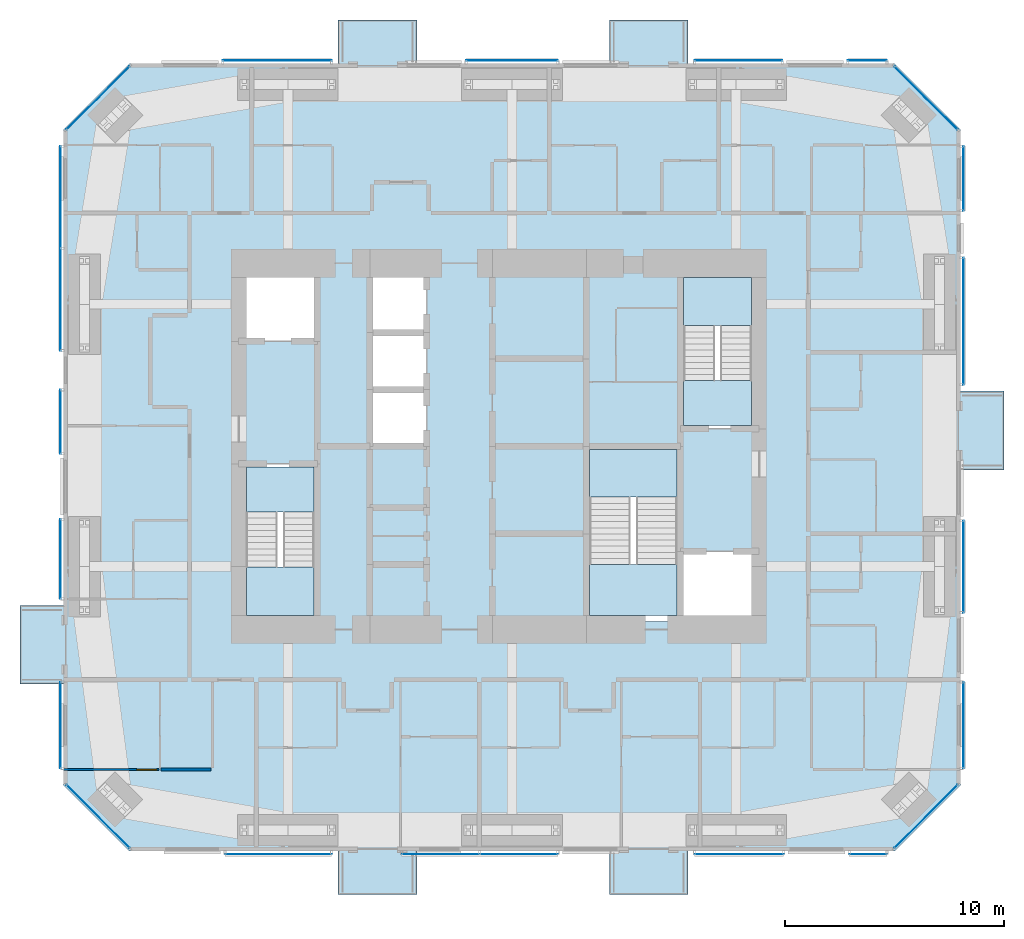
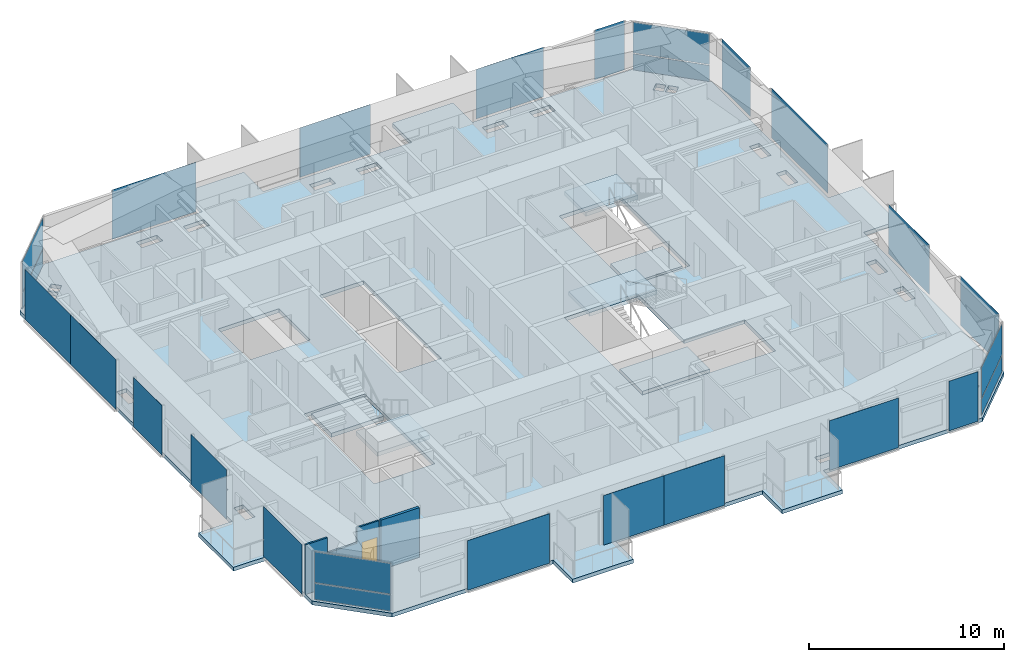
# One storey, part 14 of 22: 26 plates, 7 slabs, 2 walls, 1 door, 1 opening, 23 elements without a shape of their own.
"""IFC4 building model written with IfcOpenShell, lengths in metres."""

import ifcopenshell
import ifcopenshell.guid

model = None  # the IFC model being written
_history = None  # IfcOwnerHistory: only IFC2X3 demands one
_inside = {}  # id of a spatial element -> (the spatial element, [elements in it])
_under = {}  # id of a project, library or spatial element -> (it, [spatial elements below it])
_declared = {}  # id of a project -> (the project, [libraries it declares])
_typed = {}  # id of a type object -> (the type object, [elements of that type])
_made_of = {}  # id of a material, layer set ... -> (it, [elements and type objects made of it])


def new_model(schema):
    """Start an empty IFC model of exactly this schema.

    Asked for "IFC4X3", IfcOpenShell would pick the latest addendum, in which some entities
    have other attributes; the version numbers below select the first issue.
    IFC2X3 requires an IfcOwnerHistory on every rooted entity: one is made here for all.
    """
    global model, _history
    if schema == "IFC4X3":
        model = ifcopenshell.file(schema_version=(4, 3, 0, 0))
    else:
        model = ifcopenshell.file(schema=schema)
    _inside.clear()
    _under.clear()
    _declared.clear()
    _typed.clear()
    _made_of.clear()
    _history = None
    if model.schema == "IFC2X3":
        org = make("IfcOrganization", Name="unknown")
        user = make(
            "IfcPersonAndOrganization",
            ThePerson=make("IfcPerson", FamilyName="unknown"),
            TheOrganization=org,
        )
        app = make(
            "IfcApplication",
            ApplicationDeveloper=org,
            Version="unknown",
            ApplicationFullName="unknown",
            ApplicationIdentifier="unknown",
        )
        _history = make(
            "IfcOwnerHistory",
            OwningUser=user,
            OwningApplication=app,
            ChangeAction="ADDED",
            CreationDate=0,
        )
    return model


def make(cls, **values):
    """One entity of the class cls with the attributes given. An attribute that is None is left unset."""
    return model.create_entity(
        cls, **{name: value for name, value in values.items() if value is not None}
    )


def rooted(cls, **values):
    """An entity with a GlobalId (a new one), such as an element, a storey or a relation."""
    return make(cls, GlobalId=ifcopenshell.guid.new(), OwnerHistory=_history, **values)


def si_unit(unit_type, name, prefix=None):
    """IfcSIUnit, for example si_unit("LENGTHUNIT", "METRE", prefix="MILLI")."""
    return make("IfcSIUnit", UnitType=unit_type, Prefix=prefix, Name=name)


def assignment(units):
    """IfcUnitAssignment: the units of a project."""
    return None if units is None else make("IfcUnitAssignment", Units=units)


def point(xyz):
    """IfcCartesianPoint."""
    return None if xyz is None else make("IfcCartesianPoint", Coordinates=xyz)


def direction(xyz):
    """IfcDirection."""
    return None if xyz is None else make("IfcDirection", DirectionRatios=xyz)


def frame(location, z_axis=None, x_axis=None):
    """IfcAxis2Placement3D, a coordinate frame: its origin and axes. An axis left out is left unset."""
    return make(
        "IfcAxis2Placement3D",
        Location=point(location),
        Axis=direction(z_axis),
        RefDirection=direction(x_axis),
    )


def frame_2d(location, x_axis=None):
    """IfcAxis2Placement2D, a coordinate frame in the plane: its origin and x axis."""
    return make(
        "IfcAxis2Placement2D", Location=point(location), RefDirection=direction(x_axis)
    )


def origin():
    """The frame at (0, 0, 0) with its axes left unset."""
    return frame((0.0, 0.0, 0.0))


def origin_2d():
    """The frame at (0, 0) in the plane with its x axis left unset."""
    return frame_2d((0.0, 0.0))


def place(relative_to, where):
    """IfcLocalPlacement: puts the frame where relative to a parent placement (None: the world)."""
    return make(
        "IfcLocalPlacement", PlacementRelTo=relative_to, RelativePlacement=where
    )


def context(
    kind, dimensions, precision=None, world=None, true_north=None, identifier=None
):
    """IfcGeometricRepresentationContext, for example the 3D "Model" context."""
    return make(
        "IfcGeometricRepresentationContext",
        ContextIdentifier=identifier,
        ContextType=kind,
        CoordinateSpaceDimension=dimensions,
        Precision=precision,
        WorldCoordinateSystem=world,
        TrueNorth=true_north,
    )


def subcontext(parent, identifier, kind, view, scale=None):
    """IfcGeometricRepresentationSubContext, for example "Body" below "Model"."""
    return make(
        "IfcGeometricRepresentationSubContext",
        ContextIdentifier=identifier,
        ContextType=kind,
        ParentContext=parent,
        TargetScale=scale,
        TargetView=view,
    )


def project(units=None, contexts=None):
    """IfcProject with its units and contexts."""
    return rooted(
        "IfcProject",
        Name="project",
        RepresentationContexts=contexts,
        UnitsInContext=assignment(units),
    )


def spatial(cls, under=None, at=None, **own):
    """A site, building, storey or space (cls), placed at a placement, below another one or the project."""
    s = rooted(cls, ObjectPlacement=at, **own)
    if under is not None:
        _under.setdefault(under.id(), (under, []))[1].append(s)
    return s


def polyline(points):
    """IfcPolyline through the points."""
    return make("IfcPolyline", Points=[point(p) for p in points])


def profile(cls, at=None, kind="AREA", **sizes):
    """A parametric profile (cls). Its sizes go by their IFC names, for example OverallWidth=200.0."""
    return make(cls, ProfileType=kind, Position=at, **sizes)


def rectangle(**sizes):
    """IfcRectangleProfileDef."""
    return profile("IfcRectangleProfileDef", **sizes)


def outline(outer, holes=None, kind="AREA"):
    """IfcArbitraryClosedProfileDef: a profile drawn as a closed curve; with holes, ...WithVoids."""
    if holes is None:
        return make("IfcArbitraryClosedProfileDef", ProfileType=kind, OuterCurve=outer)
    return make(
        "IfcArbitraryProfileDefWithVoids",
        ProfileType=kind,
        OuterCurve=outer,
        InnerCurves=holes,
    )


def extrude(swept, where, along, depth):
    """IfcExtrudedAreaSolid: the profile swept, set in the frame where, extruded along a direction by depth."""
    return make(
        "IfcExtrudedAreaSolid",
        SweptArea=swept,
        Position=where,
        ExtrudedDirection=direction(along),
        Depth=depth,
    )


def shape(context_of_items, identifier, shape_type, items):
    """IfcShapeRepresentation: the items that make up one representation, for example the "Body"."""
    return make(
        "IfcShapeRepresentation",
        ContextOfItems=context_of_items,
        RepresentationIdentifier=identifier,
        RepresentationType=shape_type,
        Items=items,
    )


def material(Name=None, Category=None):
    """IfcMaterial."""
    return make("IfcMaterial", Name=Name, Category=Category)


def layer(
    of_material, thickness, ventilated=None, Name=None, Category=None, Priority=None
):
    """IfcMaterialLayer: one layer of a wall or slab, of a material (None: an air gap)."""
    return make(
        "IfcMaterialLayer",
        Material=of_material,
        LayerThickness=thickness,
        IsVentilated=ventilated,
        Name=Name,
        Category=Category,
        Priority=Priority,
    )


def layer_set(layers, Name=None):
    """IfcMaterialLayerSet."""
    return make("IfcMaterialLayerSet", MaterialLayers=layers, LayerSetName=Name)


def constituent(of_material, Name=None, Category=None, fraction=None):
    """IfcMaterialConstituent: one of the materials an element consists of."""
    return make(
        "IfcMaterialConstituent",
        Name=Name,
        Material=of_material,
        Fraction=fraction,
        Category=Category,
    )


def constituent_set(constituents=None, Name=None):
    """IfcMaterialConstituentSet."""
    return make(
        "IfcMaterialConstituentSet", Name=Name, MaterialConstituents=constituents
    )


def made_of(thing, what):
    """Note that an element or type object is made of a material, layer set ...; save() writes the relation."""
    if what is not None:
        _made_of.setdefault(what.id(), (what, []))[1].append(thing)
    return thing


def type_object(cls, material=None, **own):
    """A type object (cls), such as IfcWallType, which elements share."""
    return made_of(rooted(cls, **own), material)


def element(
    cls,
    number,
    at=None,
    inside=None,
    cuts=None,
    type_object=None,
    material=None,
    context=None,
    identifier="Body",
    shape_type=None,
    held_by="IfcProductDefinitionShape",
    body=None,
    shapes=None,
    **own,
):
    """One element of the class cls, such as IfcWall. Its Tag is "e" and its number.

    at: its placement. inside: the storey or other place that contains it. cuts: it is an
    opening in that element (IfcRelVoidsElement). A single representation is given by context,
    identifier, shape_type and body (its items); several are given by shapes. held_by: the class
    of the entity that holds the representations. save() writes the other relations.
    """
    e = rooted(cls, Tag="e%d" % number, ObjectPlacement=at, **own)
    if body is not None:
        shapes = [shape(context, identifier, shape_type, body)]
    if shapes is not None:
        e.Representation = make(held_by, Representations=shapes)
    if inside is not None:
        _inside.setdefault(inside.id(), (inside, []))[1].append(e)
    if cuts is not None:
        rooted(
            "IfcRelVoidsElement", RelatingBuildingElement=cuts, RelatedOpeningElement=e
        )
    if type_object is not None:
        _typed.setdefault(type_object.id(), (type_object, []))[1].append(e)
    return made_of(e, material)


def fill(opening, filler):
    """IfcRelFillsElement: the door or window that sits in an opening."""
    return rooted(
        "IfcRelFillsElement",
        RelatingOpeningElement=opening,
        RelatedBuildingElement=filler,
    )


def aggregate(whole, parts):
    """IfcRelAggregates: a whole, such as a stair, and the parts it consists of."""
    return rooted("IfcRelAggregates", RelatingObject=whole, RelatedObjects=parts)


def save(model, path):
    """Write the relations noted so far, then the file.

    IfcRelAggregates (storeys below a building ...), IfcRelContainedInSpatialStructure (elements
    in a storey), IfcRelDefinesByType, IfcRelAssociatesMaterial and IfcRelDeclares: one each for
    every whole, place, type object, material and project.
    """
    for whole, parts in _under.values():
        aggregate(whole, parts)
    for where, things in _inside.values():
        rooted(
            "IfcRelContainedInSpatialStructure",
            RelatedElements=things,
            RelatingStructure=where,
        )
    for kind, things in _typed.values():
        rooted("IfcRelDefinesByType", RelatedObjects=things, RelatingType=kind)
    for what, things in _made_of.values():
        rooted("IfcRelAssociatesMaterial", RelatedObjects=things, RelatingMaterial=what)
    for by, libraries in _declared.values():
        rooted("IfcRelDeclares", RelatingContext=by, RelatedDefinitions=libraries)
    model.write(path)


model = new_model("IFC4")

# Units and contexts
model_context = context("Model", 3, precision=1e-05, world=origin(), true_north=direction((0.0, 1.0)))
body_context = subcontext(model_context, "Body", "Model", "MODEL_VIEW")
ifc_project = project(units=[si_unit("LENGTHUNIT", "METRE"), si_unit("AREAUNIT", "SQUARE_METRE"), si_unit("VOLUMEUNIT", "CUBIC_METRE"), si_unit("PLANEANGLEUNIT", "RADIAN"), si_unit("MASSUNIT", "GRAM", prefix="KILO")], contexts=[model_context])

# Site, building, storey
site_placement = place(None, origin())
site = spatial("IfcSite", under=ifc_project, at=site_placement, CompositionType="ELEMENT")
building_placement = place(site_placement, origin())
building = spatial("IfcBuilding", under=site, at=building_placement, Name="Jalousie Tower", CompositionType="ELEMENT")
storey_placement = place(building_placement, frame((0.0, 0.0, 161.050048828125)))
storey = spatial("IfcBuildingStorey", under=building, at=storey_placement, Name="L43", CompositionType="ELEMENT", Elevation=161.050048828125)

# Curtain wall, plates
ifc_material_1 = material(Name="Aluminium curtain wall", Category="aluminium")
curtain_wall_type_1 = type_object("IfcCurtainWallType", Name="CORNER WINDOW WALL", PredefinedType="USERDEFINED", material=ifc_material_1)
curtain_wall_1_placement = place(storey_placement, origin())
curtain_wall_1 = element("IfcCurtainWall", 1, at=curtain_wall_1_placement, inside=storey, type_object=curtain_wall_type_1, Name="Corner Window Wall L43 2", ObjectType="CORNER WINDOW WALL", PredefinedType="USERDEFINED")
ifc_material_2 = material(Name="Laminated impact-rated spandrel glass", Category="glass")
ifc_layer_1 = layer(ifc_material_2, 0.028076171875)
ifc_layer_set_1 = layer_set([ifc_layer_1], Name="Laminated impact-rated spandrel glass")
plate_type_1 = type_object("IfcPlateType", Name="CORNER WINDOW WALL PANEL", PredefinedType="CURTAIN_PANEL", material=ifc_layer_set_1)
plate_1_placement = place(storey_placement, frame((51.4306640625, 1.5693359375, 0.06005859375), z_axis=(0.0, 0.0, 1.0), x_axis=(0.707106781187, 0.707106781187, 0.0)))
plate_1 = element("IfcPlate", 2, at=plate_1_placement, type_object=plate_type_1, Name="CW-C panel 1.1", PredefinedType="CURTAIN_PANEL", context=body_context, shape_type="SweptSolid", body=[
    extrude(rectangle(XDim=4.071533203125, YDim=0.028076171875, at=origin_2d()), origin(), (0.0, 0.0, 1.0), 1.010009765625),
])
plate_2_placement = place(storey_placement, frame((51.4306640625, 1.5693359375, 1.1298828125), z_axis=(0.0, 0.0, 1.0), x_axis=(0.707106781187, 0.707106781187, 0.0)))
plate_2 = element("IfcPlate", 3, at=plate_2_placement, type_object=plate_type_1, Name="CW-C panel 1.2", PredefinedType="CURTAIN_PANEL", context=body_context, shape_type="SweptSolid", body=[
    extrude(rectangle(XDim=4.071533203125, YDim=0.028076171875, at=origin_2d()), origin(), (0.0, 0.0, 1.0), 1.919921875),
])
aggregate(curtain_wall_1, [plate_1, plate_2])

curtain_wall_2_placement = place(storey_placement, origin())
curtain_wall_2 = element("IfcCurtainWall", 4, at=curtain_wall_2_placement, inside=storey, type_object=curtain_wall_type_1, Name="Corner Window Wall L43 4", ObjectType="CORNER WINDOW WALL", PredefinedType="USERDEFINED")
plate_3_placement = place(storey_placement, frame((51.4306640625, 34.4306640625, 0.06005859375), z_axis=(0.0, 0.0, 1.0), x_axis=(-0.707106781187, 0.707106781187, 0.0)))
plate_3 = element("IfcPlate", 5, at=plate_3_placement, type_object=plate_type_1, Name="CW-C panel 1.1", PredefinedType="CURTAIN_PANEL", context=body_context, shape_type="SweptSolid", body=[
    extrude(rectangle(XDim=4.071533203125, YDim=0.028076171875, at=origin_2d()), origin(), (0.0, 0.0, 1.0), 1.010009765625),
])
plate_4_placement = place(storey_placement, frame((51.4306640625, 34.4306640625, 1.1298828125), z_axis=(0.0, 0.0, 1.0), x_axis=(-0.707106781187, 0.707106781187, 0.0)))
plate_4 = element("IfcPlate", 6, at=plate_4_placement, type_object=plate_type_1, Name="CW-C panel 1.2", PredefinedType="CURTAIN_PANEL", context=body_context, shape_type="SweptSolid", body=[
    extrude(rectangle(XDim=4.071533203125, YDim=0.028076171875, at=origin_2d()), origin(), (0.0, 0.0, 1.0), 1.919921875),
])
aggregate(curtain_wall_2, [plate_3, plate_4])

curtain_wall_3_placement = place(storey_placement, origin())
curtain_wall_3 = element("IfcCurtainWall", 7, at=curtain_wall_3_placement, inside=storey, type_object=curtain_wall_type_1, Name="Corner Window Wall L43 6", ObjectType="CORNER WINDOW WALL", PredefinedType="USERDEFINED")
plate_5_placement = place(storey_placement, frame((13.5693359375, 34.4306640625, 0.06005859375), z_axis=(0.0, 0.0, 1.0), x_axis=(-0.707106781187, -0.707106781187, 0.0)))
plate_5 = element("IfcPlate", 8, at=plate_5_placement, type_object=plate_type_1, Name="CW-C panel 1.1", PredefinedType="CURTAIN_PANEL", context=body_context, shape_type="SweptSolid", body=[
    extrude(rectangle(XDim=4.071533203125, YDim=0.028076171875, at=origin_2d()), origin(), (0.0, 0.0, 1.0), 1.010009765625),
])
plate_6_placement = place(storey_placement, frame((13.5693359375, 34.4306640625, 1.1298828125), z_axis=(0.0, 0.0, 1.0), x_axis=(-0.707106781187, -0.707106781187, 0.0)))
plate_6 = element("IfcPlate", 9, at=plate_6_placement, type_object=plate_type_1, Name="CW-C panel 1.2", PredefinedType="CURTAIN_PANEL", context=body_context, shape_type="SweptSolid", body=[
    extrude(rectangle(XDim=4.071533203125, YDim=0.028076171875, at=origin_2d()), origin(), (0.0, 0.0, 1.0), 1.919921875),
])
aggregate(curtain_wall_3, [plate_5, plate_6])

curtain_wall_4_placement = place(storey_placement, origin())
curtain_wall_4 = element("IfcCurtainWall", 10, at=curtain_wall_4_placement, inside=storey, type_object=curtain_wall_type_1, Name="Corner Window Wall L43 8", ObjectType="CORNER WINDOW WALL", PredefinedType="USERDEFINED")
plate_7_placement = place(storey_placement, frame((13.5693359375, 1.5693359375, 0.06005859375), z_axis=(0.0, 0.0, 1.0), x_axis=(0.707106781187, -0.707106781187, 0.0)))
plate_7 = element("IfcPlate", 11, at=plate_7_placement, type_object=plate_type_1, Name="CW-C panel 1.1", PredefinedType="CURTAIN_PANEL", context=body_context, shape_type="SweptSolid", body=[
    extrude(rectangle(XDim=4.071533203125, YDim=0.028076171875, at=origin_2d()), origin(), (0.0, 0.0, 1.0), 1.010009765625),
])
plate_8_placement = place(storey_placement, frame((13.5693359375, 1.5693359375, 1.1298828125), z_axis=(0.0, 0.0, 1.0), x_axis=(0.707106781187, -0.707106781187, 0.0)))
plate_8 = element("IfcPlate", 12, at=plate_8_placement, type_object=plate_type_1, Name="CW-C panel 1.2", PredefinedType="CURTAIN_PANEL", context=body_context, shape_type="SweptSolid", body=[
    extrude(rectangle(XDim=4.071533203125, YDim=0.028076171875, at=origin_2d()), origin(), (0.0, 0.0, 1.0), 1.919921875),
])
aggregate(curtain_wall_4, [plate_7, plate_8])

# Slab
ifc_material_3 = material(Name="Concrete f'c 40 MPa", Category="concrete")
ifc_layer_2 = layer(ifc_material_3, 0.239990234375)
ifc_layer_set_2 = layer_set([ifc_layer_2], Name="Concrete f'c 40 MPa")
slab_type_1 = type_object("IfcSlabType", Name="FLOOR SLAB 240", PredefinedType="FLOOR", material=ifc_layer_set_2)
slab_1_placement = place(storey_placement, frame((0.0, 0.0, -0.239990234375)))
element("IfcSlab", 13, at=slab_1_placement, inside=storey, type_object=slab_type_1, Name="L43 floor slab", PredefinedType="FLOOR", context=body_context, shape_type="SweptSolid", body=[
    extrude(outline(polyline([(40.550048828125, 38.0), (40.550048828125, 36.0), (50.0, 36.0), (53.0, 33.0), (53.0, 21.02490234375), (55.0, 21.02490234375), (55.0, 17.425048828125), (53.0, 17.425048828125), (53.0, 3.0), (50.0, 0.0), (40.550048828125, 0.0), (40.550048828125, -2.0), (36.949951171875, -2.0), (36.949951171875, 0.0), (28.14990234375, 0.0), (28.14990234375, -2.0), (24.550048828125, -2.0), (24.550048828125, 0.0), (15.0, 0.0), (12.0, 3.0), (12.0, 7.625), (10.0, 7.625), (10.0, 11.22509765625), (12.0, 11.22509765625), (12.0, 33.0), (15.0, 36.0), (24.550048828125, 36.0), (24.550048828125, 38.0), (28.14990234375, 38.0), (28.14990234375, 36.0), (36.949951171875, 36.0), (36.949951171875, 38.0), (40.550048828125, 38.0)]), holes=[polyline([(51.763916015625, 27.0), (51.763916015625, 25.77294921875), (52.336181640625, 25.77294921875), (52.336181640625, 27.0), (51.763916015625, 27.0)]), polyline([(52.336181640625, 24.22705078125), (51.763916015625, 24.22705078125), (51.763916015625, 23.0), (52.336181640625, 23.0), (52.336181640625, 24.22705078125)]), polyline([(52.336181640625, 15.0), (51.763916015625, 15.0), (51.763916015625, 13.77294921875), (52.336181640625, 13.77294921875), (52.336181640625, 15.0)]), polyline([(52.336181640625, 12.22705078125), (51.763916015625, 12.22705078125), (51.763916015625, 11.0), (52.336181640625, 11.0), (52.336181640625, 12.22705078125)]), polyline([(50.873291015625, 33.02490234375), (51.278076171875, 33.4296875), (50.89599609375, 33.811767578125), (50.4912109375, 33.406982421875), (50.873291015625, 33.02490234375)]), polyline([(50.89599609375, 2.188232421875), (51.278076171875, 2.5703125), (50.873291015625, 2.97509765625), (50.4912109375, 2.593017578125), (50.89599609375, 2.188232421875)]), polyline([(50.02490234375, 2.126708984375), (50.4296875, 1.721923828125), (50.811767578125, 2.10400390625), (50.406982421875, 2.5087890625), (50.02490234375, 2.126708984375)]), polyline([(50.4296875, 34.278076171875), (50.02490234375, 33.873291015625), (50.406982421875, 33.4912109375), (50.811767578125, 33.89599609375), (50.4296875, 34.278076171875)]), polyline([(43.52294921875, 34.763916015625), (44.75, 34.763916015625), (44.75, 35.336181640625), (43.52294921875, 35.336181640625), (43.52294921875, 34.763916015625)]), polyline([(43.52294921875, 0.663818359375), (44.75, 0.663818359375), (44.75, 1.236083984375), (43.52294921875, 1.236083984375), (43.52294921875, 0.663818359375)]), polyline([(43.800048828125, 26.5), (40.199951171875, 26.5), (40.199951171875, 19.300048828125), (43.800048828125, 19.300048828125), (43.800048828125, 26.5)]), polyline([(43.800048828125, 10.5), (43.800048828125, 13.699951171875), (40.199951171875, 13.699951171875), (40.199951171875, 18.5), (35.89990234375, 18.5), (35.89990234375, 10.5), (43.800048828125, 10.5)]), polyline([(40.75, 35.336181640625), (40.75, 34.763916015625), (41.97705078125, 34.763916015625), (41.97705078125, 35.336181640625), (40.75, 35.336181640625)]), polyline([(41.97705078125, 1.236083984375), (40.75, 1.236083984375), (40.75, 0.663818359375), (41.97705078125, 0.663818359375), (41.97705078125, 1.236083984375)]), polyline([(34.5, 0.663818359375), (34.5, 1.236083984375), (33.27294921875, 1.236083984375), (33.27294921875, 0.663818359375), (34.5, 0.663818359375)]), polyline([(34.5, 34.763916015625), (34.5, 35.336181640625), (33.27294921875, 35.336181640625), (33.27294921875, 34.763916015625), (34.5, 34.763916015625)]), polyline([(30.5, 35.336181640625), (30.5, 34.763916015625), (31.72705078125, 34.763916015625), (31.72705078125, 35.336181640625), (30.5, 35.336181640625)]), polyline([(30.5, 1.236083984375), (30.5, 0.663818359375), (31.72705078125, 0.663818359375), (31.72705078125, 1.236083984375), (30.5, 1.236083984375)]), polyline([(26.0, 26.5), (26.0, 18.5), (28.60009765625, 18.5), (28.60009765625, 26.5), (26.0, 26.5)]), polyline([(23.02294921875, 35.336181640625), (23.02294921875, 34.763916015625), (24.25, 34.763916015625), (24.25, 35.336181640625), (23.02294921875, 35.336181640625)]), polyline([(24.25, 0.663818359375), (24.25, 1.236083984375), (23.02294921875, 1.236083984375), (23.02294921875, 0.663818359375), (24.25, 0.663818359375)]), polyline([(23.60009765625, 26.5), (20.0, 26.5), (20.0, 23.300048828125), (23.60009765625, 23.300048828125), (23.60009765625, 26.5)]), polyline([(23.60009765625, 17.699951171875), (20.0, 17.699951171875), (20.0, 10.5), (23.60009765625, 10.5), (23.60009765625, 17.699951171875)]), polyline([(21.47705078125, 34.763916015625), (21.47705078125, 35.336181640625), (20.25, 35.336181640625), (20.25, 34.763916015625), (21.47705078125, 34.763916015625)]), polyline([(21.47705078125, 0.663818359375), (21.47705078125, 1.236083984375), (20.25, 1.236083984375), (20.25, 0.663818359375), (21.47705078125, 0.663818359375)]), polyline([(14.593017578125, 2.5087890625), (14.188232421875, 2.10400390625), (14.5703125, 1.721923828125), (14.97509765625, 2.126708984375), (14.593017578125, 2.5087890625)]), polyline([(14.97509765625, 33.873291015625), (14.5703125, 34.278076171875), (14.188232421875, 33.89599609375), (14.593017578125, 33.4912109375), (14.97509765625, 33.873291015625)]), polyline([(13.721923828125, 2.5703125), (14.10400390625, 2.188232421875), (14.5087890625, 2.593017578125), (14.126708984375, 2.97509765625), (13.721923828125, 2.5703125)]), polyline([(14.126708984375, 33.02490234375), (14.5087890625, 33.406982421875), (14.10400390625, 33.811767578125), (13.721923828125, 33.4296875), (14.126708984375, 33.02490234375)]), polyline([(12.663818359375, 23.0), (13.236083984375, 23.0), (13.236083984375, 24.22705078125), (12.663818359375, 24.22705078125), (12.663818359375, 23.0)]), polyline([(13.236083984375, 27.0), (12.663818359375, 27.0), (12.663818359375, 25.77294921875), (13.236083984375, 25.77294921875), (13.236083984375, 27.0)]), polyline([(12.663818359375, 15.0), (12.663818359375, 13.77294921875), (13.236083984375, 13.77294921875), (13.236083984375, 15.0), (12.663818359375, 15.0)]), polyline([(13.236083984375, 12.22705078125), (12.663818359375, 12.22705078125), (12.663818359375, 11.0), (13.236083984375, 11.0), (13.236083984375, 12.22705078125)])]), origin(), (0.0, 0.0, 1.0), 0.239990234375),
])

# Curtain wall, plate
ifc_material_4 = material(Name="Perforated aluminium sheet", Category="aluminium")
curtain_wall_type_2 = type_object("IfcCurtainWallType", Name="SOLAR SCREEN SS-1", PredefinedType="USERDEFINED", material=ifc_material_4)
curtain_wall_5_placement = place(storey_placement, origin())
curtain_wall_5 = element("IfcCurtainWall", 14, at=curtain_wall_5_placement, inside=storey, type_object=curtain_wall_type_2, Name="Solar screen L43", ObjectType="SOLAR SCREEN SS-1", PredefinedType="USERDEFINED")
ifc_material_5 = material(Name="Perforated aluminium sheet", Category="aluminium")
ifc_layer_3 = layer(ifc_material_5, 0.006103515625)
ifc_layer_set_3 = layer_set([ifc_layer_3], Name="Perforated aluminium sheet")
plate_type_2 = type_object("IfcPlateType", Name="SOLAR SCREEN SS-1 PANEL", PredefinedType="CURTAIN_PANEL", material=ifc_layer_set_3)
plate_9_placement = place(storey_placement, frame((21.812744140625, -0.150390625, 0.0), z_axis=(0.0, 0.0, 1.0), x_axis=(1.0, 0.0, 0.0)))
plate_9 = element("IfcPlate", 15, at=plate_9_placement, type_object=plate_type_2, Name="SS1 perforated panel 1", PredefinedType="CURTAIN_PANEL", context=body_context, shape_type="SweptSolid", body=[
    extrude(rectangle(XDim=4.874267578125, YDim=0.006103515625, at=origin_2d()), origin(), (0.0, 0.0, 1.0), 3.110107421875),
])
aggregate(curtain_wall_5, [plate_9])

# Curtain wall, plates
curtain_wall_6_placement = place(storey_placement, origin())
curtain_wall_6 = element("IfcCurtainWall", 16, at=curtain_wall_6_placement, inside=storey, type_object=curtain_wall_type_2, Name="Solar screen L43", ObjectType="SOLAR SCREEN SS-1", PredefinedType="USERDEFINED")
plate_10_placement = place(storey_placement, frame((29.237548828125, -0.150390625, 0.0), z_axis=(0.0, 0.0, 1.0), x_axis=(1.0, 0.0, 0.0)))
plate_10 = element("IfcPlate", 17, at=plate_10_placement, type_object=plate_type_2, Name="SS1 perforated panel 1", PredefinedType="CURTAIN_PANEL", context=body_context, shape_type="SweptSolid", body=[
    extrude(rectangle(XDim=3.574951171875, YDim=0.006103515625, at=origin_2d()), origin(), (0.0, 0.0, 1.0), 3.110107421875),
])
plate_11_placement = place(storey_placement, frame((32.8125, -0.150390625, 0.0), z_axis=(0.0, 0.0, 1.0), x_axis=(1.0, 0.0, 0.0)))
plate_11 = element("IfcPlate", 18, at=plate_11_placement, type_object=plate_type_2, Name="SS1 perforated panel 2", PredefinedType="CURTAIN_PANEL", context=body_context, shape_type="SweptSolid", body=[
    extrude(rectangle(XDim=3.574951171875, YDim=0.006103515625, at=origin_2d()), origin(), (0.0, 0.0, 1.0), 3.110107421875),
])
aggregate(curtain_wall_6, [plate_10, plate_11])

# Curtain wall, plate
curtain_wall_7_placement = place(storey_placement, origin())
curtain_wall_7 = element("IfcCurtainWall", 19, at=curtain_wall_7_placement, inside=storey, type_object=curtain_wall_type_2, Name="Solar screen L43", ObjectType="SOLAR SCREEN SS-1", PredefinedType="USERDEFINED")
plate_12_placement = place(storey_placement, frame((42.885986328125, -0.150390625, 0.0), z_axis=(0.0, 0.0, 1.0), x_axis=(1.0, 0.0, 0.0)))
plate_12 = element("IfcPlate", 20, at=plate_12_placement, type_object=plate_type_2, Name="SS1 perforated panel 1", PredefinedType="CURTAIN_PANEL", context=body_context, shape_type="SweptSolid", body=[
    extrude(rectangle(XDim=4.07177734375, YDim=0.006103515625, at=origin_2d()), origin(), (0.0, 0.0, 1.0), 3.110107421875),
])
aggregate(curtain_wall_7, [plate_12])

curtain_wall_8_placement = place(storey_placement, origin())
curtain_wall_8 = element("IfcCurtainWall", 21, at=curtain_wall_8_placement, inside=storey, type_object=curtain_wall_type_2, Name="Solar screen L43", ObjectType="SOLAR SCREEN SS-1", PredefinedType="USERDEFINED")
plate_13_placement = place(storey_placement, frame((48.78515625, -0.150390625, 0.0), z_axis=(0.0, 0.0, 1.0), x_axis=(1.0, 0.0, 0.0)))
plate_13 = element("IfcPlate", 22, at=plate_13_placement, type_object=plate_type_2, Name="SS1 perforated panel 1", PredefinedType="CURTAIN_PANEL", context=body_context, shape_type="SweptSolid", body=[
    extrude(rectangle(XDim=1.72705078125, YDim=0.006103515625, at=origin_2d()), origin(), (0.0, 0.0, 1.0), 3.110107421875),
])
aggregate(curtain_wall_8, [plate_13])

curtain_wall_9_placement = place(storey_placement, origin())
curtain_wall_9 = element("IfcCurtainWall", 23, at=curtain_wall_9_placement, inside=storey, type_object=curtain_wall_type_2, Name="Solar screen L43", ObjectType="SOLAR SCREEN SS-1", PredefinedType="USERDEFINED")
plate_14_placement = place(storey_placement, frame((53.150390625, 5.748046875, 0.0), z_axis=(0.0, 0.0, 1.0), x_axis=(0.0, 1.0, 0.0)))
plate_14 = element("IfcPlate", 24, at=plate_14_placement, type_object=plate_type_2, Name="SS1 perforated panel 1", PredefinedType="CURTAIN_PANEL", context=body_context, shape_type="SweptSolid", body=[
    extrude(rectangle(XDim=3.95361328125, YDim=0.006103515625, at=origin_2d()), origin(), (0.0, 0.0, 1.0), 3.110107421875),
])
aggregate(curtain_wall_9, [plate_14])

curtain_wall_10_placement = place(storey_placement, origin())
curtain_wall_10 = element("IfcCurtainWall", 25, at=curtain_wall_10_placement, inside=storey, type_object=curtain_wall_type_2, Name="Solar screen L43", ObjectType="SOLAR SCREEN SS-1", PredefinedType="USERDEFINED")
plate_15_placement = place(storey_placement, frame((53.150390625, 13.0, 0.0), z_axis=(0.0, 0.0, 1.0), x_axis=(0.0, 1.0, 0.0)))
plate_15 = element("IfcPlate", 26, at=plate_15_placement, type_object=plate_type_2, Name="SS1 perforated panel 1", PredefinedType="CURTAIN_PANEL", context=body_context, shape_type="SweptSolid", body=[
    extrude(rectangle(XDim=4.199951171875, YDim=0.006103515625, at=origin_2d()), origin(), (0.0, 0.0, 1.0), 3.110107421875),
])
aggregate(curtain_wall_10, [plate_15])

curtain_wall_11_placement = place(storey_placement, origin())
curtain_wall_11 = element("IfcCurtainWall", 27, at=curtain_wall_11_placement, inside=storey, type_object=curtain_wall_type_2, Name="Solar screen L43", ObjectType="SOLAR SCREEN SS-1", PredefinedType="USERDEFINED")
plate_16_placement = place(storey_placement, frame((53.150390625, 24.224853515625, 0.0), z_axis=(0.0, 0.0, 1.0), x_axis=(0.0, 1.0, 0.0)))
plate_16 = element("IfcPlate", 28, at=plate_16_placement, type_object=plate_type_2, Name="SS1 perforated panel 1", PredefinedType="CURTAIN_PANEL", context=body_context, shape_type="SweptSolid", body=[
    extrude(rectangle(XDim=5.799560546875, YDim=0.006103515625, at=origin_2d()), origin(), (0.0, 0.0, 1.0), 3.110107421875),
])
aggregate(curtain_wall_11, [plate_16])

curtain_wall_12_placement = place(storey_placement, origin())
curtain_wall_12 = element("IfcCurtainWall", 29, at=curtain_wall_12_placement, inside=storey, type_object=curtain_wall_type_2, Name="Solar screen L43", ObjectType="SOLAR SCREEN SS-1", PredefinedType="USERDEFINED")
plate_17_placement = place(storey_placement, frame((53.150390625, 30.751953125, 0.0), z_axis=(0.0, 0.0, 1.0), x_axis=(0.0, 1.0, 0.0)))
plate_17 = element("IfcPlate", 30, at=plate_17_placement, type_object=plate_type_2, Name="SS1 perforated panel 1", PredefinedType="CURTAIN_PANEL", context=body_context, shape_type="SweptSolid", body=[
    extrude(rectangle(XDim=2.95361328125, YDim=0.006103515625, at=origin_2d()), origin(), (0.0, 0.0, 1.0), 3.110107421875),
])
aggregate(curtain_wall_12, [plate_17])

curtain_wall_13_placement = place(storey_placement, origin())
curtain_wall_13 = element("IfcCurtainWall", 31, at=curtain_wall_13_placement, inside=storey, type_object=curtain_wall_type_2, Name="Solar screen L43", ObjectType="SOLAR SCREEN SS-1", PredefinedType="USERDEFINED")
plate_18_placement = place(storey_placement, frame((48.75390625, 36.150390625, 0.0), z_axis=(0.0, 0.0, 1.0), x_axis=(-1.0, 0.0, 0.0)))
plate_18 = element("IfcPlate", 32, at=plate_18_placement, type_object=plate_type_2, Name="SS1 perforated panel 1", PredefinedType="CURTAIN_PANEL", context=body_context, shape_type="SweptSolid", body=[
    extrude(rectangle(XDim=1.78955078125, YDim=0.006103515625, at=origin_2d()), origin(), (0.0, 0.0, 1.0), 3.110107421875),
])
aggregate(curtain_wall_13, [plate_18])

curtain_wall_14_placement = place(storey_placement, origin())
curtain_wall_14 = element("IfcCurtainWall", 33, at=curtain_wall_14_placement, inside=storey, type_object=curtain_wall_type_2, Name="Solar screen L43", ObjectType="SOLAR SCREEN SS-1", PredefinedType="USERDEFINED")
plate_19_placement = place(storey_placement, frame((42.8544921875, 36.150390625, 0.0), z_axis=(0.0, 0.0, 1.0), x_axis=(-1.0, 0.0, 0.0)))
plate_19 = element("IfcPlate", 34, at=plate_19_placement, type_object=plate_type_2, Name="SS1 perforated panel 1", PredefinedType="CURTAIN_PANEL", context=body_context, shape_type="SweptSolid", body=[
    extrude(rectangle(XDim=4.00927734375, YDim=0.006103515625, at=origin_2d()), origin(), (0.0, 0.0, 1.0), 3.110107421875),
])
aggregate(curtain_wall_14, [plate_19])

curtain_wall_15_placement = place(storey_placement, origin())
curtain_wall_15 = element("IfcCurtainWall", 35, at=curtain_wall_15_placement, inside=storey, type_object=curtain_wall_type_2, Name="Solar screen L43", ObjectType="SOLAR SCREEN SS-1", PredefinedType="USERDEFINED")
plate_20_placement = place(storey_placement, frame((32.5, 36.150390625, 0.0), z_axis=(0.0, 0.0, 1.0), x_axis=(-1.0, 0.0, 0.0)))
plate_20 = element("IfcPlate", 36, at=plate_20_placement, type_object=plate_type_2, Name="SS1 perforated panel 1", PredefinedType="CURTAIN_PANEL", context=body_context, shape_type="SweptSolid", body=[
    extrude(rectangle(XDim=4.199951171875, YDim=0.006103515625, at=origin_2d()), origin(), (0.0, 0.0, 1.0), 3.110107421875),
])
aggregate(curtain_wall_15, [plate_20])

curtain_wall_16_placement = place(storey_placement, origin())
curtain_wall_16 = element("IfcCurtainWall", 37, at=curtain_wall_16_placement, inside=storey, type_object=curtain_wall_type_2, Name="Solar screen L43", ObjectType="SOLAR SCREEN SS-1", PredefinedType="USERDEFINED")
plate_21_placement = place(storey_placement, frame((21.7626953125, 36.150390625, 0.0), z_axis=(0.0, 0.0, 1.0), x_axis=(-1.0, 0.0, 0.0)))
plate_21 = element("IfcPlate", 38, at=plate_21_placement, type_object=plate_type_2, Name="SS1 perforated panel 1", PredefinedType="CURTAIN_PANEL", context=body_context, shape_type="SweptSolid", body=[
    extrude(rectangle(XDim=4.974365234375, YDim=0.006103515625, at=origin_2d()), origin(), (0.0, 0.0, 1.0), 3.110107421875),
])
aggregate(curtain_wall_16, [plate_21])

# Curtain wall, plates
curtain_wall_17_placement = place(storey_placement, origin())
curtain_wall_17 = element("IfcCurtainWall", 39, at=curtain_wall_17_placement, inside=storey, type_object=curtain_wall_type_2, Name="Solar screen L43", ObjectType="SOLAR SCREEN SS-1", PredefinedType="USERDEFINED")
plate_22_placement = place(storey_placement, frame((11.849609375, 29.89208984375, 0.0), z_axis=(0.0, 0.0, 1.0), x_axis=(0.0, -1.0, 0.0)))
plate_22 = element("IfcPlate", 40, at=plate_22_placement, type_object=plate_type_2, Name="SS1 perforated panel 1", PredefinedType="CURTAIN_PANEL", context=body_context, shape_type="SweptSolid", body=[
    extrude(rectangle(XDim=4.67333984375, YDim=0.006103515625, at=origin_2d()), origin(), (0.0, 0.0, 1.0), 3.110107421875),
])
plate_23_placement = place(storey_placement, frame((11.849609375, 25.218505859375, 0.0), z_axis=(0.0, 0.0, 1.0), x_axis=(0.0, -1.0, 0.0)))
plate_23 = element("IfcPlate", 41, at=plate_23_placement, type_object=plate_type_2, Name="SS1 perforated panel 2", PredefinedType="CURTAIN_PANEL", context=body_context, shape_type="SweptSolid", body=[
    extrude(rectangle(XDim=4.67333984375, YDim=0.006103515625, at=origin_2d()), origin(), (0.0, 0.0, 1.0), 3.110107421875),
])
aggregate(curtain_wall_17, [plate_22, plate_23])

# Curtain wall, plate
curtain_wall_18_placement = place(storey_placement, origin())
curtain_wall_18 = element("IfcCurtainWall", 42, at=curtain_wall_18_placement, inside=storey, type_object=curtain_wall_type_2, Name="Solar screen L43", ObjectType="SOLAR SCREEN SS-1", PredefinedType="USERDEFINED")
plate_24_placement = place(storey_placement, frame((11.849609375, 19.623779296875, 0.0), z_axis=(0.0, 0.0, 1.0), x_axis=(0.0, -1.0, 0.0)))
plate_24 = element("IfcPlate", 43, at=plate_24_placement, type_object=plate_type_2, Name="SS1 perforated panel 1", PredefinedType="CURTAIN_PANEL", context=body_context, shape_type="SweptSolid", body=[
    extrude(rectangle(XDim=2.916015625, YDim=0.006103515625, at=origin_2d()), origin(), (0.0, 0.0, 1.0), 3.110107421875),
])
aggregate(curtain_wall_18, [plate_24])

curtain_wall_19_placement = place(storey_placement, origin())
curtain_wall_19 = element("IfcCurtainWall", 44, at=curtain_wall_19_placement, inside=storey, type_object=curtain_wall_type_2, Name="Solar screen L43", ObjectType="SOLAR SCREEN SS-1", PredefinedType="USERDEFINED")
plate_25_placement = place(storey_placement, frame((11.849609375, 13.345458984375, 0.0), z_axis=(0.0, 0.0, 1.0), x_axis=(0.0, -1.0, 0.0)))
plate_25 = element("IfcPlate", 45, at=plate_25_placement, type_object=plate_type_2, Name="SS1 perforated panel 1", PredefinedType="CURTAIN_PANEL", context=body_context, shape_type="SweptSolid", body=[
    extrude(rectangle(XDim=3.640869140625, YDim=0.006103515625, at=origin_2d()), origin(), (0.0, 0.0, 1.0), 3.110107421875),
])
aggregate(curtain_wall_19, [plate_25])

curtain_wall_20_placement = place(storey_placement, origin())
curtain_wall_20 = element("IfcCurtainWall", 46, at=curtain_wall_20_placement, inside=storey, type_object=curtain_wall_type_2, Name="Solar screen L43", ObjectType="SOLAR SCREEN SS-1", PredefinedType="USERDEFINED")
plate_26_placement = place(storey_placement, frame((11.849609375, 5.748046875, 0.0), z_axis=(0.0, 0.0, 1.0), x_axis=(0.0, -1.0, 0.0)))
plate_26 = element("IfcPlate", 47, at=plate_26_placement, type_object=plate_type_2, Name="SS1 perforated panel 1", PredefinedType="CURTAIN_PANEL", context=body_context, shape_type="SweptSolid", body=[
    extrude(rectangle(XDim=3.95361328125, YDim=0.006103515625, at=origin_2d()), origin(), (0.0, 0.0, 1.0), 3.110107421875),
])
aggregate(curtain_wall_20, [plate_26])

# Stair, slabs
ifc_material_6 = material(Name="Concrete f'c 40 MPa", Category="concrete")
stair_type = type_object("IfcStairType", Name="EXIT STAIR", PredefinedType="HALF_TURN_STAIR", material=ifc_material_6)
stair_1_placement = place(storey_placement, origin())
stair_1 = element("IfcStair", 48, at=stair_1_placement, inside=storey, type_object=stair_type, Name="Exit stair A L43", PredefinedType="HALF_TURN_STAIR")
ifc_material_7 = material(Name="Concrete f'c 40 MPa", Category="concrete")
ifc_layer_4 = layer(ifc_material_7, 0.25)
ifc_layer_set_4 = layer_set([ifc_layer_4], Name="Concrete f'c 40 MPa")
slab_type_2 = type_object("IfcSlabType", Name="STAIR LANDING 250", PredefinedType="LANDING", material=ifc_layer_set_4)
slab_2_placement = place(storey_placement, frame((0.0, 0.0, -0.25)))
slab_2 = element("IfcSlab", 49, at=slab_2_placement, type_object=slab_type_2, Name="ST-A landing 1", PredefinedType="LANDING", context=body_context, shape_type="SweptSolid", body=[
    extrude(outline(polyline([(20.35009765625, 15.49755859375), (23.449951171875, 15.49755859375), (23.449951171875, 17.550048828125), (20.35009765625, 17.550048828125), (20.35009765625, 15.49755859375)])), origin(), (0.0, 0.0, 1.0), 0.25),
])
slab_3_placement = place(storey_placement, frame((0.0, 0.0, 1.425048828125)))
slab_3 = element("IfcSlab", 50, at=slab_3_placement, type_object=slab_type_2, Name="ST-A landing 2", PredefinedType="LANDING", context=body_context, shape_type="SweptSolid", body=[
    extrude(outline(polyline([(20.35009765625, 10.77490234375), (23.449951171875, 10.77490234375), (23.449951171875, 12.9775390625), (20.35009765625, 12.9775390625), (20.35009765625, 10.77490234375)])), origin(), (0.0, 0.0, 1.0), 0.25),
])
aggregate(stair_1, [slab_2, slab_3])

stair_2_placement = place(storey_placement, origin())
stair_2 = element("IfcStair", 51, at=stair_2_placement, inside=storey, type_object=stair_type, Name="Exit stair B L43", PredefinedType="HALF_TURN_STAIR")
slab_4_placement = place(storey_placement, frame((0.0, 0.0, -0.25)))
slab_4 = element("IfcSlab", 52, at=slab_4_placement, type_object=slab_type_2, Name="ST-B landing 1", PredefinedType="LANDING", context=body_context, shape_type="SweptSolid", body=[
    extrude(outline(polyline([(40.35009765625, 19.449951171875), (43.449951171875, 19.449951171875), (43.449951171875, 21.50244140625), (40.35009765625, 21.50244140625), (40.35009765625, 19.449951171875)])), origin(), (0.0, 0.0, 1.0), 0.25),
])
slab_5_placement = place(storey_placement, frame((0.0, 0.0, 1.425048828125)))
slab_5 = element("IfcSlab", 53, at=slab_5_placement, type_object=slab_type_2, Name="ST-B landing 2", PredefinedType="LANDING", context=body_context, shape_type="SweptSolid", body=[
    extrude(outline(polyline([(40.35009765625, 24.0224609375), (43.449951171875, 24.0224609375), (43.449951171875, 26.22509765625), (40.35009765625, 26.22509765625), (40.35009765625, 24.0224609375)])), origin(), (0.0, 0.0, 1.0), 0.25),
])
aggregate(stair_2, [slab_4, slab_5])

stair_3_placement = place(storey_placement, origin())
stair_3 = element("IfcStair", 54, at=stair_3_placement, inside=storey, type_object=stair_type, Name="Exit stair C L43", PredefinedType="HALF_TURN_STAIR")
slab_6_placement = place(storey_placement, frame((0.0, 0.0, -0.25)))
slab_6 = element("IfcSlab", 55, at=slab_6_placement, type_object=slab_type_2, Name="ST-C landing 1", PredefinedType="LANDING", context=body_context, shape_type="SweptSolid", body=[
    extrude(outline(polyline([(36.050048828125, 10.77490234375), (40.050048828125, 10.77490234375), (40.050048828125, 13.097412109375), (36.050048828125, 13.097412109375), (36.050048828125, 10.77490234375)])), origin(), (0.0, 0.0, 1.0), 0.25),
])
slab_7_placement = place(storey_placement, frame((0.0, 0.0, 1.425048828125)))
slab_7 = element("IfcSlab", 56, at=slab_7_placement, type_object=slab_type_2, Name="ST-C landing 2", PredefinedType="LANDING", context=body_context, shape_type="SweptSolid", body=[
    extrude(outline(polyline([(36.050048828125, 16.177490234375), (40.050048828125, 16.177490234375), (40.050048828125, 18.35009765625), (36.050048828125, 18.35009765625), (36.050048828125, 16.177490234375)])), origin(), (0.0, 0.0, 1.0), 0.25),
])
aggregate(stair_3, [slab_6, slab_7])

# Wall
ifc_material_8 = material(Name="Concrete block ASTM C90", Category="concrete")
ifc_constituent_1 = constituent(ifc_material_8, Name="Body")
ifc_material_9 = material(Name="Render")
ifc_constituent_2 = constituent(ifc_material_9, Name="Finish")
ifc_constituent_set_1 = constituent_set(constituents=[ifc_constituent_1, ifc_constituent_2])
wall_type_1 = type_object("IfcWallType", Name="BATHROOM WALL 150", PredefinedType="PLUMBINGWALL", material=ifc_constituent_set_1)
wall_1_placement = place(storey_placement, frame((18.72509765625, 3.72119140625, 0.0), z_axis=(0.0, 0.0, 1.0), x_axis=(-1.0, 0.0, 0.0)))
element("IfcWall", 57, at=wall_1_placement, inside=storey, type_object=wall_type_1, Name="Bathroom Wall 150 L43", PredefinedType="PLUMBINGWALL", context=body_context, shape_type="SweptSolid", body=[
    extrude(rectangle(XDim=2.275146484375, YDim=0.14990234375, at=frame_2d((1.1376953125, 0.0))), origin(), (0.0, 0.0, 1.0), 3.10986328125),
])

# Wall, opening, door
ifc_material_10 = material(Name="Gypsum board", Category="gypsum")
ifc_constituent_3 = constituent(ifc_material_10, Name="Body")
ifc_material_11 = material(Name="Light-gauge steel studs ASTM A653 SS Grade 33", Category="steel")
ifc_constituent_4 = constituent(ifc_material_11, Name="Framing")
ifc_constituent_set_2 = constituent_set(constituents=[ifc_constituent_3, ifc_constituent_4])
wall_type_2 = type_object("IfcWallType", Name="PARTITION 100", PredefinedType="PARTITIONING", material=ifc_constituent_set_2)
wall_2_placement = place(storey_placement, frame((16.35009765625, 3.72119140625, 0.0), z_axis=(0.0, 0.0, 1.0), x_axis=(-1.0, 0.0, 0.0)))
wall_2 = element("IfcWall", 58, at=wall_2_placement, inside=storey, type_object=wall_type_2, Name="Partition 100 L43", PredefinedType="PARTITIONING", context=body_context, shape_type="SweptSolid", body=[
    extrude(outline(polyline([(0.0, 0.0), (4.35009765625, 0.0), (4.35009765625, 3.10986328125), (3.049072265625, 3.10986328125), (3.049072265625, 2.14990234375), (1.314453125, 2.14990234375), (1.314453125, 3.10986328125), (0.0, 3.10986328125), (0.0, 0.0)])), frame((0.0, 0.050048828125, 0.0), z_axis=(0.0, -1.0, 0.0), x_axis=(1.0, 0.0, 0.0)), (0.0, 0.0, 1.0), 0.10009765625),
])
opening_placement = place(wall_2_placement, frame((0.10009765625, 0.0, 0.0)))
opening = element("IfcOpeningElement", 59, at=opening_placement, cuts=wall_2, Name="Opening D2", PredefinedType="OPENING", context=body_context, shape_type="SweptSolid", body=[
    extrude(rectangle(XDim=0.89990234375, YDim=2.10009765625, at=frame_2d((0.449951171875, 1.050048828125))), frame((0.0, 0.06005859375, 0.0), z_axis=(0.0, -1.0, 0.0), x_axis=(1.0, 0.0, 0.0)), (0.0, 0.0, 1.0), 0.1201171875),
])
ifc_material_12 = material(Name="Timber door", Category="wood")
door_type = type_object("IfcDoorType", Name="BEDROOM DOOR 900", OperationType="SINGLE_SWING_LEFT", PredefinedType="DOOR", material=ifc_material_12)
door_placement = place(opening_placement, frame((0.89990234375, 0.0, 0.0), z_axis=(0.0, 0.0, 1.0), x_axis=(-1.0, 0.0, 0.0)))
door = element("IfcDoor", 60, at=door_placement, inside=storey, type_object=door_type, Name="Apartment 4301 bedroom 1 door", OperationType="SINGLE_SWING_RIGHT", OverallHeight=2.10009765625, OverallWidth=0.89990234375, PredefinedType="DOOR", context=body_context, shape_type="SweptSolid", body=[
    extrude(rectangle(XDim=0.89990234375, YDim=2.10009765625, at=frame_2d((0.449951171875, 1.050048828125))), frame((0.0, 0.02490234375, 0.0), z_axis=(0.0, -1.0, 0.0), x_axis=(1.0, 0.0, 0.0)), (0.0, 0.0, 1.0), 0.050048828125),
])
fill(opening, door)

save(model, "model.ifc")
